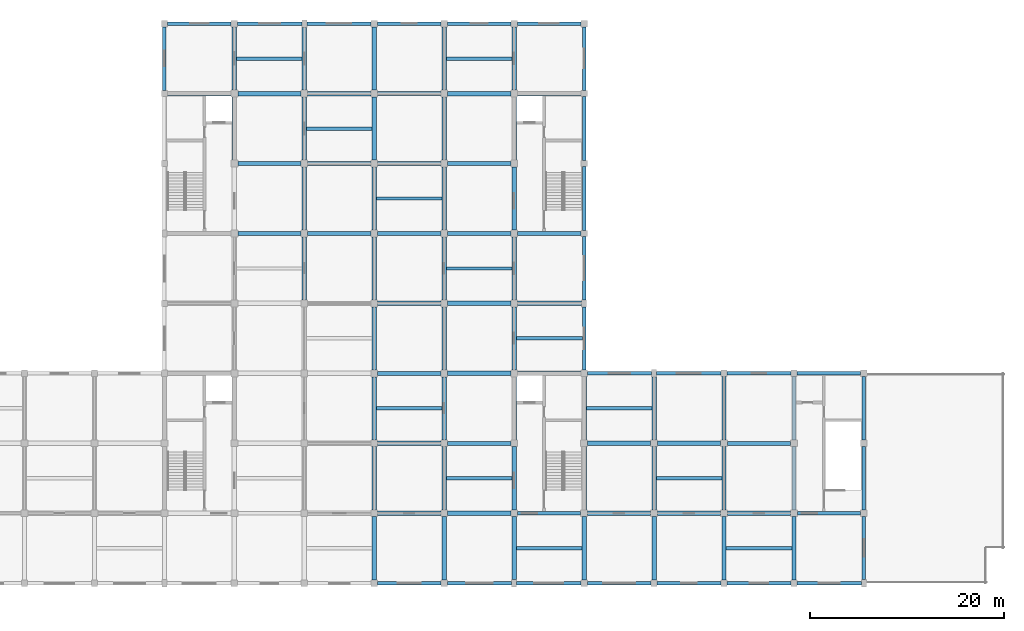
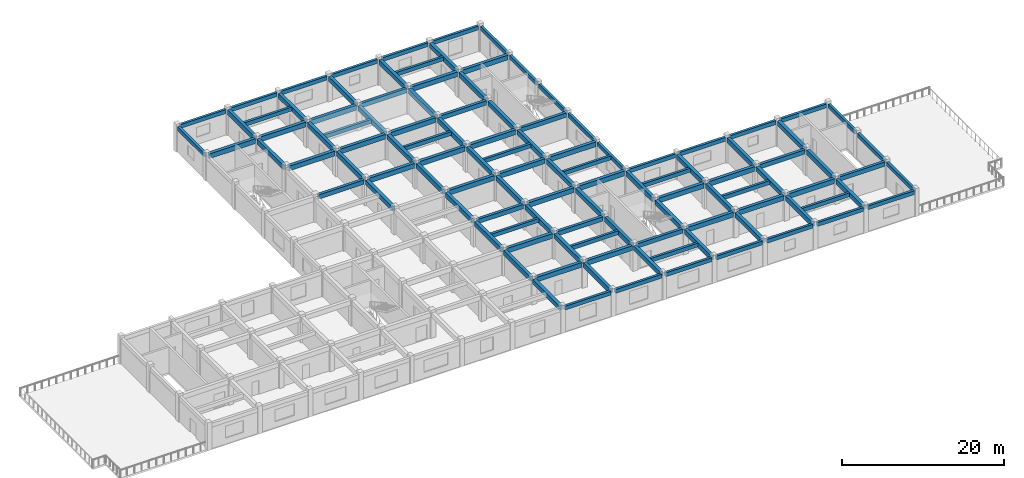
# One storey, part 2 of 10: 113 beams.
"""IFC4 building model written with IfcOpenShell, lengths in metres."""

from ifc_helpers import new_model, si_unit, direction, frame, origin, origin_2d, place, context, subcontext, project, spatial, rectangle, extrude, material, material_profile, profile_set, type_object, element, save


model = new_model("IFC4")

# Units and contexts
model_context = context("Model", 3, precision=1e-05, world=origin(), true_north=direction((0.0, 1.0)))
body_context = subcontext(model_context, "Body", "Model", "MODEL_VIEW")
ifc_project = project(units=[si_unit("LENGTHUNIT", "METRE"), si_unit("AREAUNIT", "SQUARE_METRE"), si_unit("VOLUMEUNIT", "CUBIC_METRE"), si_unit("PLANEANGLEUNIT", "RADIAN"), si_unit("MASSUNIT", "GRAM", prefix="KILO")], contexts=[model_context])

# Site, building, storey
site_placement = place(None, origin())
site = spatial("IfcSite", under=ifc_project, at=site_placement, CompositionType="ELEMENT")
building_placement = place(site_placement, origin())
building = spatial("IfcBuilding", under=site, at=building_placement, Name="Cendaluz Park School", CompositionType="ELEMENT")
storey_placement = place(building_placement, frame((0.0, 0.0, 30.60009765625)))
storey = spatial("IfcBuildingStorey", under=building, at=storey_placement, Name="L07", CompositionType="ELEMENT", Elevation=30.60009765625)

# Beams
ifc_material = material(Name="Concrete C40/50", Category="concrete")
ifc_material_profile_1 = material_profile(ifc_material, rectangle(XDim=0.449951171875, YDim=0.719970703125, at=origin_2d()), Name="RC 450x720", Category="concrete")
ifc_profile_set_1 = profile_set([ifc_material_profile_1], Name="Concrete C40/50")
beam_type_1 = type_object("IfcBeamType", Name="BM-RC02", PredefinedType="BEAM", material=ifc_profile_set_1)
beam_1_placement = place(storey_placement, frame((65.125, 57.60009765625, 3.469970703125), z_axis=(1.0, 0.0, 0.0), x_axis=(0.0, 1.0, 0.0)))
element("IfcBeam", 1, at=beam_1_placement, inside=storey, type_object=beam_type_1, Name="BM-L07-BMRC02-0021", PredefinedType="BEAM", context=body_context, shape_type="SweptSolid", body=[
    extrude(rectangle(XDim=0.449951171875, YDim=0.719970703125, at=origin_2d()), origin(), (0.0, 0.0, 1.0), 6.52490234375),
])
for number, where, z_axis, x_axis, name in (
    (2, (72.35009765625, 50.39990234375, 3.469970703125), (1.0, 0.0, 0.0), (0.0, 1.0, 0.0), "BM-L07-BMRC02-0029"),
    (3, (72.35009765625, 57.60009765625, 3.469970703125), (1.0, 0.0, 0.0), (0.0, 1.0, 0.0), "BM-L07-BMRC02-0030"),
    (4, (79.550048828125, 43.199951171875, 3.469970703125), (1.0, 0.0, 0.0), (0.0, 1.0, 0.0), "BM-L07-BMRC02-0037"),
    (5, (79.550048828125, 50.39990234375, 3.469970703125), (1.0, 0.0, 0.0), (0.0, 1.0, 0.0), "BM-L07-BMRC02-0038"),
    (6, (79.550048828125, 57.60009765625, 3.469970703125), (1.0, 0.0, 0.0), (0.0, 1.0, 0.0), "BM-L07-BMRC02-0039"),
    (7, (86.75, 14.39990234375, 3.469970703125), (1.0, 0.0, 0.0), (0.0, 1.0, 0.0), "BM-L07-BMRC02-0042"),
    (8, (86.75, 21.60009765625, 3.469970703125), (1.0, 0.0, 0.0), (0.0, 1.0, 0.0), "BM-L07-BMRC02-0043"),
    (9, (86.75, 36.0, 3.469970703125), (1.0, 0.0, 0.0), (0.0, 1.0, 0.0), "BM-L07-BMRC02-0045"),
    (10, (86.75, 43.199951171875, 3.469970703125), (1.0, 0.0, 0.0), (0.0, 1.0, 0.0), "BM-L07-BMRC02-0046"),
    (11, (86.75, 50.39990234375, 3.469970703125), (1.0, 0.0, 0.0), (0.0, 1.0, 0.0), "BM-L07-BMRC02-0047"),
    (12, (93.949951171875, 14.39990234375, 3.469970703125), (1.0, 0.0, 0.0), (0.0, 1.0, 0.0), "BM-L07-BMRC02-0051"),
    (13, (93.949951171875, 28.800048828125, 3.469970703125), (1.0, 0.0, 0.0), (0.0, 1.0, 0.0), "BM-L07-BMRC02-0053"),
    (14, (93.949951171875, 36.0, 3.469970703125), (1.0, 0.0, 0.0), (0.0, 1.0, 0.0), "BM-L07-BMRC02-0054"),
    (15, (93.949951171875, 43.199951171875, 3.469970703125), (1.0, 0.0, 0.0), (0.0, 1.0, 0.0), "BM-L07-BMRC02-0055"),
    (16, (93.949951171875, 57.60009765625, 3.469970703125), (1.0, 0.0, 0.0), (0.0, 1.0, 0.0), "BM-L07-BMRC02-0057"),
):
    element("IfcBeam", number, at=place(storey_placement, frame(where, z_axis=z_axis, x_axis=x_axis)), inside=storey, type_object=beam_type_1, Name=name, PredefinedType="BEAM", context=body_context, shape_type="SweptSolid", body=[
        extrude(rectangle(XDim=0.449951171875, YDim=0.719970703125, at=origin_2d()), origin(), (0.0, 0.0, 1.0), 6.5),
    ])
beam_2_placement = place(storey_placement, frame((101.14990234375, 28.800048828125, 3.469970703125), z_axis=(1.0, 0.0, 0.0), x_axis=(0.0, 1.0, 0.0)))
element("IfcBeam", 17, at=beam_2_placement, inside=storey, type_object=beam_type_1, Name="BM-L07-BMRC02-0061", PredefinedType="BEAM", context=body_context, shape_type="SweptSolid", body=[
    extrude(rectangle(XDim=0.449951171875, YDim=0.719970703125, at=origin_2d()), origin(), (0.0, 0.0, 1.0), 6.525146484375),
])
beam_3_placement = place(storey_placement, frame((101.14990234375, 36.0, 3.469970703125), z_axis=(1.0, 0.0, 0.0), x_axis=(0.0, 1.0, 0.0)))
element("IfcBeam", 18, at=beam_3_placement, inside=storey, type_object=beam_type_1, Name="BM-L07-BMRC02-0062", PredefinedType="BEAM", context=body_context, shape_type="SweptSolid", body=[
    extrude(rectangle(XDim=0.449951171875, YDim=0.719970703125, at=origin_2d()), origin(), (0.0, 0.0, 1.0), 6.60009765625),
])
beam_4_placement = place(storey_placement, frame((101.14990234375, 57.60009765625, 3.469970703125), z_axis=(1.0, 0.0, 0.0), x_axis=(0.0, 1.0, 0.0)))
element("IfcBeam", 19, at=beam_4_placement, inside=storey, type_object=beam_type_1, Name="BM-L07-BMRC02-0064", PredefinedType="BEAM", context=body_context, shape_type="SweptSolid", body=[
    extrude(rectangle(XDim=0.449951171875, YDim=0.719970703125, at=origin_2d()), origin(), (0.0, 0.0, 1.0), 6.525146484375),
])
for number, where, z_axis, x_axis, name in (
    (20, (108.35009765625, 14.39990234375, 3.469970703125), (1.0, 0.0, 0.0), (0.0, 1.0, 0.0), "BM-L07-BMRC02-0067"),
    (21, (108.35009765625, 21.60009765625, 3.469970703125), (1.0, 0.0, 0.0), (0.0, 1.0, 0.0), "BM-L07-BMRC02-0068"),
    (22, (115.550048828125, 14.39990234375, 3.469970703125), (1.0, 0.0, 0.0), (0.0, 1.0, 0.0), "BM-L07-BMRC02-0071"),
    (23, (115.550048828125, 21.60009765625, 3.469970703125), (1.0, 0.0, 0.0), (0.0, 1.0, 0.0), "BM-L07-BMRC02-0072"),
    (24, (122.75, 14.39990234375, 3.469970703125), (1.0, 0.0, 0.0), (0.0, 1.0, 0.0), "BM-L07-BMRC02-0075"),
    (25, (72.0, 50.75, 3.469970703125), (0.0, 1.0, 0.0), (-1.0, 0.0, 0.0), "BM-L07-BMRC02-0107"),
):
    element("IfcBeam", number, at=place(storey_placement, frame(where, z_axis=z_axis, x_axis=x_axis)), inside=storey, type_object=beam_type_1, Name=name, PredefinedType="BEAM", context=body_context, shape_type="SweptSolid", body=[
        extrude(rectangle(XDim=0.449951171875, YDim=0.719970703125, at=origin_2d()), origin(), (0.0, 0.0, 1.0), 6.5),
    ])
beam_5_placement = place(storey_placement, frame((72.0, 57.949951171875, 3.469970703125), z_axis=(0.0, 1.0, 0.0), x_axis=(-1.0, 0.0, 0.0)))
element("IfcBeam", 26, at=beam_5_placement, inside=storey, type_object=beam_type_1, Name="BM-L07-BMRC02-0108", PredefinedType="BEAM", context=body_context, shape_type="SweptSolid", body=[
    extrude(rectangle(XDim=0.449951171875, YDim=0.719970703125, at=origin_2d()), origin(), (0.0, 0.0, 1.0), 6.525146484375),
])
for number, where, z_axis, x_axis, name in (
    (27, (79.199951171875, 36.35009765625, 3.469970703125), (0.0, 1.0, 0.0), (-1.0, 0.0, 0.0), "BM-L07-BMRC02-0113"),
    (28, (79.199951171875, 43.550048828125, 3.469970703125), (0.0, 1.0, 0.0), (-1.0, 0.0, 0.0), "BM-L07-BMRC02-0114"),
    (29, (79.199951171875, 50.75, 3.469970703125), (0.0, 1.0, 0.0), (-1.0, 0.0, 0.0), "BM-L07-BMRC02-0115"),
):
    element("IfcBeam", number, at=place(storey_placement, frame(where, z_axis=z_axis, x_axis=x_axis)), inside=storey, type_object=beam_type_1, Name=name, PredefinedType="BEAM", context=body_context, shape_type="SweptSolid", body=[
        extrude(rectangle(XDim=0.449951171875, YDim=0.719970703125, at=origin_2d()), origin(), (0.0, 0.0, 1.0), 6.5),
    ])
beam_6_placement = place(storey_placement, frame((79.199951171875, 57.949951171875, 3.469970703125), z_axis=(0.0, 1.0, 0.0), x_axis=(-1.0, 0.0, 0.0)))
element("IfcBeam", 30, at=beam_6_placement, inside=storey, type_object=beam_type_1, Name="BM-L07-BMRC02-0116", PredefinedType="BEAM", context=body_context, shape_type="SweptSolid", body=[
    extrude(rectangle(XDim=0.449951171875, YDim=0.719970703125, at=origin_2d()), origin(), (0.0, 0.0, 1.0), 6.47509765625),
])
beam_7_placement = place(storey_placement, frame((86.39990234375, 7.52490234375, 3.469970703125), z_axis=(0.0, 1.0, 0.0), x_axis=(-1.0, 0.0, 0.0)))
element("IfcBeam", 31, at=beam_7_placement, inside=storey, type_object=beam_type_1, Name="BM-L07-BMRC02-0117", PredefinedType="BEAM", context=body_context, shape_type="SweptSolid", body=[
    extrude(rectangle(XDim=0.449951171875, YDim=0.719970703125, at=origin_2d()), origin(), (0.0, 0.0, 1.0), 6.525146484375),
])
for number, where, z_axis, x_axis, name in (
    (32, (86.39990234375, 14.75, 3.469970703125), (0.0, 1.0, 0.0), (-1.0, 0.0, 0.0), "BM-L07-BMRC02-0118"),
    (33, (86.39990234375, 21.949951171875, 3.469970703125), (0.0, 1.0, 0.0), (-1.0, 0.0, 0.0), "BM-L07-BMRC02-0119"),
    (34, (86.39990234375, 29.14990234375, 3.469970703125), (0.0, 1.0, 0.0), (-1.0, 0.0, 0.0), "BM-L07-BMRC02-0120"),
    (35, (86.39990234375, 36.35009765625, 3.469970703125), (0.0, 1.0, 0.0), (-1.0, 0.0, 0.0), "BM-L07-BMRC02-0121"),
    (36, (86.39990234375, 43.550048828125, 3.469970703125), (0.0, 1.0, 0.0), (-1.0, 0.0, 0.0), "BM-L07-BMRC02-0122"),
    (37, (86.39990234375, 50.75, 3.469970703125), (0.0, 1.0, 0.0), (-1.0, 0.0, 0.0), "BM-L07-BMRC02-0123"),
):
    element("IfcBeam", number, at=place(storey_placement, frame(where, z_axis=z_axis, x_axis=x_axis)), inside=storey, type_object=beam_type_1, Name=name, PredefinedType="BEAM", context=body_context, shape_type="SweptSolid", body=[
        extrude(rectangle(XDim=0.449951171875, YDim=0.719970703125, at=origin_2d()), origin(), (0.0, 0.0, 1.0), 6.5),
    ])
for number, where, z_axis, x_axis, name in (
    (38, (86.39990234375, 57.949951171875, 3.469970703125), (0.0, 1.0, 0.0), (-1.0, 0.0, 0.0), "BM-L07-BMRC02-0124"),
    (39, (93.60009765625, 7.52490234375, 3.469970703125), (0.0, 1.0, 0.0), (-1.0, 0.0, 0.0), "BM-L07-BMRC02-0125"),
):
    element("IfcBeam", number, at=place(storey_placement, frame(where, z_axis=z_axis, x_axis=x_axis)), inside=storey, type_object=beam_type_1, Name=name, PredefinedType="BEAM", context=body_context, shape_type="SweptSolid", body=[
        extrude(rectangle(XDim=0.449951171875, YDim=0.719970703125, at=origin_2d()), origin(), (0.0, 0.0, 1.0), 6.525146484375),
    ])
for number, where, z_axis, x_axis, name in (
    (40, (93.60009765625, 14.75, 3.469970703125), (0.0, 1.0, 0.0), (-1.0, 0.0, 0.0), "BM-L07-BMRC02-0126"),
    (41, (93.60009765625, 21.949951171875, 3.469970703125), (0.0, 1.0, 0.0), (-1.0, 0.0, 0.0), "BM-L07-BMRC02-0127"),
    (42, (93.60009765625, 29.14990234375, 3.469970703125), (0.0, 1.0, 0.0), (-1.0, 0.0, 0.0), "BM-L07-BMRC02-0128"),
    (43, (93.60009765625, 36.35009765625, 3.469970703125), (0.0, 1.0, 0.0), (-1.0, 0.0, 0.0), "BM-L07-BMRC02-0129"),
    (44, (93.60009765625, 43.550048828125, 3.469970703125), (0.0, 1.0, 0.0), (-1.0, 0.0, 0.0), "BM-L07-BMRC02-0130"),
    (45, (93.60009765625, 50.75, 3.469970703125), (0.0, 1.0, 0.0), (-1.0, 0.0, 0.0), "BM-L07-BMRC02-0131"),
):
    element("IfcBeam", number, at=place(storey_placement, frame(where, z_axis=z_axis, x_axis=x_axis)), inside=storey, type_object=beam_type_1, Name=name, PredefinedType="BEAM", context=body_context, shape_type="SweptSolid", body=[
        extrude(rectangle(XDim=0.449951171875, YDim=0.719970703125, at=origin_2d()), origin(), (0.0, 0.0, 1.0), 6.5),
    ])
beam_8_placement = place(storey_placement, frame((93.60009765625, 57.949951171875, 3.469970703125), z_axis=(0.0, 1.0, 0.0), x_axis=(-1.0, 0.0, 0.0)))
element("IfcBeam", 46, at=beam_8_placement, inside=storey, type_object=beam_type_1, Name="BM-L07-BMRC02-0132", PredefinedType="BEAM", context=body_context, shape_type="SweptSolid", body=[
    extrude(rectangle(XDim=0.449951171875, YDim=0.719970703125, at=origin_2d()), origin(), (0.0, 0.0, 1.0), 6.525146484375),
])
beam_9_placement = place(storey_placement, frame((100.800048828125, 7.574951171875, 3.469970703125), z_axis=(0.0, 1.0, 0.0), x_axis=(-1.0, 0.0, 0.0)))
element("IfcBeam", 47, at=beam_9_placement, inside=storey, type_object=beam_type_1, Name="BM-L07-BMRC02-0133", PredefinedType="BEAM", context=body_context, shape_type="SweptSolid", body=[
    extrude(rectangle(XDim=0.449951171875, YDim=0.719970703125, at=origin_2d()), origin(), (0.0, 0.0, 1.0), 6.47509765625),
])
for number, where, z_axis, x_axis, name in (
    (48, (100.800048828125, 14.75, 3.469970703125), (0.0, 1.0, 0.0), (-1.0, 0.0, 0.0), "BM-L07-BMRC02-0134"),
    (49, (100.800048828125, 21.949951171875, 3.469970703125), (0.0, 1.0, 0.0), (-1.0, 0.0, 0.0), "BM-L07-BMRC02-0135"),
    (50, (100.800048828125, 29.14990234375, 3.469970703125), (0.0, 1.0, 0.0), (-1.0, 0.0, 0.0), "BM-L07-BMRC02-0136"),
    (51, (100.800048828125, 36.35009765625, 3.469970703125), (0.0, 1.0, 0.0), (-1.0, 0.0, 0.0), "BM-L07-BMRC02-0137"),
    (52, (100.800048828125, 43.550048828125, 3.469970703125), (0.0, 1.0, 0.0), (-1.0, 0.0, 0.0), "BM-L07-BMRC02-0138"),
    (53, (100.800048828125, 50.75, 3.469970703125), (0.0, 1.0, 0.0), (-1.0, 0.0, 0.0), "BM-L07-BMRC02-0139"),
):
    element("IfcBeam", number, at=place(storey_placement, frame(where, z_axis=z_axis, x_axis=x_axis)), inside=storey, type_object=beam_type_1, Name=name, PredefinedType="BEAM", context=body_context, shape_type="SweptSolid", body=[
        extrude(rectangle(XDim=0.449951171875, YDim=0.719970703125, at=origin_2d()), origin(), (0.0, 0.0, 1.0), 6.5),
    ])
for number, where, z_axis, x_axis, name in (
    (54, (100.800048828125, 57.949951171875, 3.469970703125), (0.0, 1.0, 0.0), (-1.0, 0.0, 0.0), "BM-L07-BMRC02-0140"),
    (55, (108.0, 7.52490234375, 3.469970703125), (0.0, 1.0, 0.0), (-1.0, 0.0, 0.0), "BM-L07-BMRC02-0141"),
):
    element("IfcBeam", number, at=place(storey_placement, frame(where, z_axis=z_axis, x_axis=x_axis)), inside=storey, type_object=beam_type_1, Name=name, PredefinedType="BEAM", context=body_context, shape_type="SweptSolid", body=[
        extrude(rectangle(XDim=0.449951171875, YDim=0.719970703125, at=origin_2d()), origin(), (0.0, 0.0, 1.0), 6.525146484375),
    ])
beam_10_placement = place(storey_placement, frame((108.0, 14.75, 3.469970703125), z_axis=(0.0, 1.0, 0.0), x_axis=(-1.0, 0.0, 0.0)))
element("IfcBeam", 56, at=beam_10_placement, inside=storey, type_object=beam_type_1, Name="BM-L07-BMRC02-0142", PredefinedType="BEAM", context=body_context, shape_type="SweptSolid", body=[
    extrude(rectangle(XDim=0.449951171875, YDim=0.719970703125, at=origin_2d()), origin(), (0.0, 0.0, 1.0), 6.5),
])
for number, where, z_axis, x_axis, name in (
    (57, (108.0, 21.949951171875, 3.469970703125), (0.0, 1.0, 0.0), (-1.0, 0.0, 0.0), "BM-L07-BMRC02-0143"),
    (58, (115.199951171875, 7.52490234375, 3.469970703125), (0.0, 1.0, 0.0), (-1.0, 0.0, 0.0), "BM-L07-BMRC02-0149"),
):
    element("IfcBeam", number, at=place(storey_placement, frame(where, z_axis=z_axis, x_axis=x_axis)), inside=storey, type_object=beam_type_1, Name=name, PredefinedType="BEAM", context=body_context, shape_type="SweptSolid", body=[
        extrude(rectangle(XDim=0.449951171875, YDim=0.719970703125, at=origin_2d()), origin(), (0.0, 0.0, 1.0), 6.525146484375),
    ])
beam_11_placement = place(storey_placement, frame((115.199951171875, 14.75, 3.469970703125), z_axis=(0.0, 1.0, 0.0), x_axis=(-1.0, 0.0, 0.0)))
element("IfcBeam", 59, at=beam_11_placement, inside=storey, type_object=beam_type_1, Name="BM-L07-BMRC02-0150", PredefinedType="BEAM", context=body_context, shape_type="SweptSolid", body=[
    extrude(rectangle(XDim=0.449951171875, YDim=0.719970703125, at=origin_2d()), origin(), (0.0, 0.0, 1.0), 6.5),
])
beam_12_placement = place(storey_placement, frame((115.199951171875, 21.949951171875, 3.469970703125), z_axis=(0.0, 1.0, 0.0), x_axis=(-1.0, 0.0, 0.0)))
element("IfcBeam", 60, at=beam_12_placement, inside=storey, type_object=beam_type_1, Name="BM-L07-BMRC02-0151", PredefinedType="BEAM", context=body_context, shape_type="SweptSolid", body=[
    extrude(rectangle(XDim=0.449951171875, YDim=0.719970703125, at=origin_2d()), origin(), (0.0, 0.0, 1.0), 6.47509765625),
])
beam_13_placement = place(storey_placement, frame((122.39990234375, 7.52490234375, 3.469970703125), z_axis=(0.0, 1.0, 0.0), x_axis=(-1.0, 0.0, 0.0)))
element("IfcBeam", 61, at=beam_13_placement, inside=storey, type_object=beam_type_1, Name="BM-L07-BMRC02-0152", PredefinedType="BEAM", context=body_context, shape_type="SweptSolid", body=[
    extrude(rectangle(XDim=0.449951171875, YDim=0.719970703125, at=origin_2d()), origin(), (0.0, 0.0, 1.0), 6.525146484375),
])
beam_14_placement = place(storey_placement, frame((122.39990234375, 14.75, 3.469970703125), z_axis=(0.0, 1.0, 0.0), x_axis=(-1.0, 0.0, 0.0)))
element("IfcBeam", 62, at=beam_14_placement, inside=storey, type_object=beam_type_1, Name="BM-L07-BMRC02-0153", PredefinedType="BEAM", context=body_context, shape_type="SweptSolid", body=[
    extrude(rectangle(XDim=0.449951171875, YDim=0.719970703125, at=origin_2d()), origin(), (0.0, 0.0, 1.0), 6.5),
])
for number, where, z_axis, x_axis, name in (
    (63, (122.39990234375, 21.949951171875, 3.469970703125), (0.0, 1.0, 0.0), (-1.0, 0.0, 0.0), "BM-L07-BMRC02-0154"),
    (64, (129.60009765625, 7.52490234375, 3.469970703125), (0.0, 1.0, 0.0), (-1.0, 0.0, 0.0), "BM-L07-BMRC02-0155"),
):
    element("IfcBeam", number, at=place(storey_placement, frame(where, z_axis=z_axis, x_axis=x_axis)), inside=storey, type_object=beam_type_1, Name=name, PredefinedType="BEAM", context=body_context, shape_type="SweptSolid", body=[
        extrude(rectangle(XDim=0.449951171875, YDim=0.719970703125, at=origin_2d()), origin(), (0.0, 0.0, 1.0), 6.525146484375),
    ])
beam_15_placement = place(storey_placement, frame((129.60009765625, 14.75, 3.469970703125), z_axis=(0.0, 1.0, 0.0), x_axis=(-1.0, 0.0, 0.0)))
element("IfcBeam", 65, at=beam_15_placement, inside=storey, type_object=beam_type_1, Name="BM-L07-BMRC02-0156", PredefinedType="BEAM", context=body_context, shape_type="SweptSolid", body=[
    extrude(rectangle(XDim=0.449951171875, YDim=0.719970703125, at=origin_2d()), origin(), (0.0, 0.0, 1.0), 6.5),
])
beam_16_placement = place(storey_placement, frame((129.60009765625, 21.949951171875, 3.469970703125), z_axis=(0.0, 1.0, 0.0), x_axis=(-1.0, 0.0, 0.0)))
element("IfcBeam", 66, at=beam_16_placement, inside=storey, type_object=beam_type_1, Name="BM-L07-BMRC02-0157", PredefinedType="BEAM", context=body_context, shape_type="SweptSolid", body=[
    extrude(rectangle(XDim=0.449951171875, YDim=0.719970703125, at=origin_2d()), origin(), (0.0, 0.0, 1.0), 6.525146484375),
])
ifc_material_profile_2 = material_profile(ifc_material, rectangle(XDim=0.39990234375, YDim=0.64990234375, at=origin_2d()), Name="RC 400x650", Category="concrete")
ifc_profile_set_2 = profile_set([ifc_material_profile_2], Name="Concrete C40/50")
beam_type_2 = type_object("IfcBeamType", Name="BM-RC03", PredefinedType="T_BEAM", material=ifc_profile_set_2)
for number, where, z_axis, x_axis, name in (
    (67, (72.35009765625, 43.199951171875, 3.5048828125), (1.0, 0.0, 0.0), (0.0, 1.0, 0.0), "BM-L07-BMRC03-0028"),
    (68, (86.75, 28.800048828125, 3.5048828125), (1.0, 0.0, 0.0), (0.0, 1.0, 0.0), "BM-L07-BMRC03-0044"),
    (69, (86.75, 57.60009765625, 3.5048828125), (1.0, 0.0, 0.0), (0.0, 1.0, 0.0), "BM-L07-BMRC03-0048"),
    (70, (93.949951171875, 21.60009765625, 3.5048828125), (1.0, 0.0, 0.0), (0.0, 1.0, 0.0), "BM-L07-BMRC03-0052"),
    (71, (93.949951171875, 50.39990234375, 3.5048828125), (1.0, 0.0, 0.0), (0.0, 1.0, 0.0), "BM-L07-BMRC03-0056"),
    (72, (101.14990234375, 14.39990234375, 3.5048828125), (1.0, 0.0, 0.0), (0.0, 1.0, 0.0), "BM-L07-BMRC03-0060"),
):
    element("IfcBeam", number, at=place(storey_placement, frame(where, z_axis=z_axis, x_axis=x_axis)), inside=storey, type_object=beam_type_2, Name=name, PredefinedType="T_BEAM", context=body_context, shape_type="SweptSolid", body=[
        extrude(rectangle(XDim=0.39990234375, YDim=0.64990234375, at=origin_2d()), origin(), (0.0, 0.0, 1.0), 6.5),
    ])
beam_17_placement = place(storey_placement, frame((101.14990234375, 43.199951171875, 3.5048828125), z_axis=(1.0, 0.0, 0.0), x_axis=(0.0, 1.0, 0.0)))
element("IfcBeam", 73, at=beam_17_placement, inside=storey, type_object=beam_type_2, Name="BM-L07-BMRC03-0063", PredefinedType="T_BEAM", context=body_context, shape_type="SweptSolid", body=[
    extrude(rectangle(XDim=0.39990234375, YDim=0.64990234375, at=origin_2d()), origin(), (0.0, 0.0, 1.0), 6.525146484375),
])
beam_18_placement = place(storey_placement, frame((122.75, 21.60009765625, 3.5048828125), z_axis=(1.0, 0.0, 0.0), x_axis=(0.0, 1.0, 0.0)))
element("IfcBeam", 74, at=beam_18_placement, inside=storey, type_object=beam_type_2, Name="BM-L07-BMRC03-0076", PredefinedType="T_BEAM", context=body_context, shape_type="SweptSolid", body=[
    extrude(rectangle(XDim=0.39990234375, YDim=0.64990234375, at=origin_2d()), origin(), (0.0, 0.0, 1.0), 6.5),
])
beam_19_placement = place(storey_placement, frame((129.949951171875, 14.39990234375, 3.5048828125), z_axis=(1.0, 0.0, 0.0), x_axis=(0.0, 1.0, 0.0)))
element("IfcBeam", 75, at=beam_19_placement, inside=storey, type_object=beam_type_2, Name="BM-L07-BMRC03-0079", PredefinedType="T_BEAM", context=body_context, shape_type="SweptSolid", body=[
    extrude(rectangle(XDim=0.39990234375, YDim=0.64990234375, at=origin_2d()), origin(), (0.0, 0.0, 1.0), 6.525146484375),
])
ifc_material_profile_3 = material_profile(ifc_material, rectangle(XDim=0.35009765625, YDim=0.580078125, at=origin_2d()), Name="RC 350x580", Category="concrete")
ifc_profile_set_3 = profile_set([ifc_material_profile_3], Name="Concrete C40/50")
beam_type_3 = type_object("IfcBeamType", Name="BM-RC04", PredefinedType="LINTEL", material=ifc_profile_set_3)
beam_20_placement = place(storey_placement, frame((65.125, 64.800048828125, 3.539794921875), z_axis=(1.0, 0.0, 0.0), x_axis=(0.0, 1.0, 0.0)))
element("IfcBeam", 76, at=beam_20_placement, inside=storey, type_object=beam_type_3, Name="BM-L07-BMRC04-0022", PredefinedType="LINTEL", context=body_context, shape_type="SweptSolid", body=[
    extrude(rectangle(XDim=0.35009765625, YDim=0.580078125, at=origin_2d()), origin(), (0.0, 0.0, 1.0), 6.550048828125),
])
for number, where, z_axis, x_axis, name in (
    (77, (72.324951171875, 64.800048828125, 3.539794921875), (1.0, 0.0, 0.0), (0.0, 1.0, 0.0), "BM-L07-BMRC04-0031"),
    (78, (79.449951171875, 64.800048828125, 3.539794921875), (1.0, 0.0, 0.0), (0.0, 1.0, 0.0), "BM-L07-BMRC04-0040"),
):
    element("IfcBeam", number, at=place(storey_placement, frame(where, z_axis=z_axis, x_axis=x_axis)), inside=storey, type_object=beam_type_3, Name=name, PredefinedType="LINTEL", context=body_context, shape_type="SweptSolid", body=[
        extrude(rectangle(XDim=0.35009765625, YDim=0.580078125, at=origin_2d()), origin(), (0.0, 0.0, 1.0), 6.625),
    ])
for number, where, z_axis, x_axis, name in (
    (79, (86.72509765625, 7.199951171875, 3.539794921875), (1.0, 0.0, 0.0), (0.0, 1.0, 0.0), "BM-L07-BMRC04-0041"),
    (80, (86.72509765625, 64.800048828125, 3.539794921875), (1.0, 0.0, 0.0), (0.0, 1.0, 0.0), "BM-L07-BMRC04-0049"),
):
    element("IfcBeam", number, at=place(storey_placement, frame(where, z_axis=z_axis, x_axis=x_axis)), inside=storey, type_object=beam_type_3, Name=name, PredefinedType="LINTEL", context=body_context, shape_type="SweptSolid", body=[
        extrude(rectangle(XDim=0.35009765625, YDim=0.580078125, at=origin_2d()), origin(), (0.0, 0.0, 1.0), 6.5498046875),
    ])
beam_21_placement = place(storey_placement, frame((93.925048828125, 7.199951171875, 3.539794921875), z_axis=(1.0, 0.0, 0.0), x_axis=(0.0, 1.0, 0.0)))
element("IfcBeam", 81, at=beam_21_placement, inside=storey, type_object=beam_type_3, Name="BM-L07-BMRC04-0050", PredefinedType="LINTEL", context=body_context, shape_type="SweptSolid", body=[
    extrude(rectangle(XDim=0.35009765625, YDim=0.580078125, at=origin_2d()), origin(), (0.0, 0.0, 1.0), 6.625),
])
beam_22_placement = place(storey_placement, frame((93.925048828125, 64.800048828125, 3.539794921875), z_axis=(1.0, 0.0, 0.0), x_axis=(0.0, 1.0, 0.0)))
element("IfcBeam", 82, at=beam_22_placement, inside=storey, type_object=beam_type_3, Name="BM-L07-BMRC04-0058", PredefinedType="LINTEL", context=body_context, shape_type="SweptSolid", body=[
    extrude(rectangle(XDim=0.35009765625, YDim=0.580078125, at=origin_2d()), origin(), (0.0, 0.0, 1.0), 6.550048828125),
])
beam_23_placement = place(storey_placement, frame((101.050048828125, 7.199951171875, 3.539794921875), z_axis=(1.0, 0.0, 0.0), x_axis=(0.0, 1.0, 0.0)))
element("IfcBeam", 83, at=beam_23_placement, inside=storey, type_object=beam_type_3, Name="BM-L07-BMRC04-0059", PredefinedType="LINTEL", context=body_context, shape_type="SweptSolid", body=[
    extrude(rectangle(XDim=0.35009765625, YDim=0.580078125, at=origin_2d()), origin(), (0.0, 0.0, 1.0), 6.625),
])
for number, where, z_axis, x_axis, name in (
    (84, (101.125, 64.800048828125, 3.539794921875), (1.0, 0.0, 0.0), (0.0, 1.0, 0.0), "BM-L07-BMRC04-0065"),
    (85, (108.324951171875, 7.199951171875, 3.539794921875), (1.0, 0.0, 0.0), (0.0, 1.0, 0.0), "BM-L07-BMRC04-0066"),
):
    element("IfcBeam", number, at=place(storey_placement, frame(where, z_axis=z_axis, x_axis=x_axis)), inside=storey, type_object=beam_type_3, Name=name, PredefinedType="LINTEL", context=body_context, shape_type="SweptSolid", body=[
        extrude(rectangle(XDim=0.35009765625, YDim=0.580078125, at=origin_2d()), origin(), (0.0, 0.0, 1.0), 6.550048828125),
    ])
beam_24_placement = place(storey_placement, frame((108.324951171875, 28.800048828125, 3.539794921875), z_axis=(1.0, 0.0, 0.0), x_axis=(0.0, 1.0, 0.0)))
element("IfcBeam", 86, at=beam_24_placement, inside=storey, type_object=beam_type_3, Name="BM-L07-BMRC04-0069", PredefinedType="LINTEL", context=body_context, shape_type="SweptSolid", body=[
    extrude(rectangle(XDim=0.35009765625, YDim=0.580078125, at=origin_2d()), origin(), (0.0, 0.0, 1.0), 6.625),
])
beam_25_placement = place(storey_placement, frame((115.52490234375, 7.199951171875, 3.539794921875), z_axis=(1.0, 0.0, 0.0), x_axis=(0.0, 1.0, 0.0)))
element("IfcBeam", 87, at=beam_25_placement, inside=storey, type_object=beam_type_3, Name="BM-L07-BMRC04-0070", PredefinedType="LINTEL", context=body_context, shape_type="SweptSolid", body=[
    extrude(rectangle(XDim=0.35009765625, YDim=0.580078125, at=origin_2d()), origin(), (0.0, 0.0, 1.0), 6.550048828125),
])
beam_26_placement = place(storey_placement, frame((115.449951171875, 28.800048828125, 3.539794921875), z_axis=(1.0, 0.0, 0.0), x_axis=(0.0, 1.0, 0.0)))
element("IfcBeam", 88, at=beam_26_placement, inside=storey, type_object=beam_type_3, Name="BM-L07-BMRC04-0073", PredefinedType="LINTEL", context=body_context, shape_type="SweptSolid", body=[
    extrude(rectangle(XDim=0.35009765625, YDim=0.580078125, at=origin_2d()), origin(), (0.0, 0.0, 1.0), 6.625),
])
for number, where, z_axis, x_axis, name in (
    (89, (122.72509765625, 7.199951171875, 3.539794921875), (1.0, 0.0, 0.0), (0.0, 1.0, 0.0), "BM-L07-BMRC04-0074"),
    (90, (122.72509765625, 28.800048828125, 3.539794921875), (1.0, 0.0, 0.0), (0.0, 1.0, 0.0), "BM-L07-BMRC04-0077"),
):
    element("IfcBeam", number, at=place(storey_placement, frame(where, z_axis=z_axis, x_axis=x_axis)), inside=storey, type_object=beam_type_3, Name=name, PredefinedType="LINTEL", context=body_context, shape_type="SweptSolid", body=[
        extrude(rectangle(XDim=0.35009765625, YDim=0.580078125, at=origin_2d()), origin(), (0.0, 0.0, 1.0), 6.5498046875),
    ])
beam_27_placement = place(storey_placement, frame((129.925048828125, 7.199951171875, 3.539794921875), z_axis=(1.0, 0.0, 0.0), x_axis=(0.0, 1.0, 0.0)))
element("IfcBeam", 91, at=beam_27_placement, inside=storey, type_object=beam_type_3, Name="BM-L07-BMRC04-0078", PredefinedType="LINTEL", context=body_context, shape_type="SweptSolid", body=[
    extrude(rectangle(XDim=0.35009765625, YDim=0.580078125, at=origin_2d()), origin(), (0.0, 0.0, 1.0), 6.625),
])
for number, where, z_axis, x_axis, name in (
    (92, (129.925048828125, 28.800048828125, 3.539794921875), (1.0, 0.0, 0.0), (0.0, 1.0, 0.0), "BM-L07-BMRC04-0080"),
    (93, (64.800048828125, 57.925048828125, 3.539794921875), (0.0, 1.0, 0.0), (-1.0, 0.0, 0.0), "BM-L07-BMRC04-0100"),
):
    element("IfcBeam", number, at=place(storey_placement, frame(where, z_axis=z_axis, x_axis=x_axis)), inside=storey, type_object=beam_type_3, Name=name, PredefinedType="LINTEL", context=body_context, shape_type="SweptSolid", body=[
        extrude(rectangle(XDim=0.35009765625, YDim=0.580078125, at=origin_2d()), origin(), (0.0, 0.0, 1.0), 6.550048828125),
    ])
for number, where, z_axis, x_axis, name in (
    (94, (108.0, 29.125, 3.539794921875), (0.0, 1.0, 0.0), (-1.0, 0.0, 0.0), "BM-L07-BMRC04-0144"),
    (95, (108.0, 36.375, 3.539794921875), (0.0, 1.0, 0.0), (-1.0, 0.0, 0.0), "BM-L07-BMRC04-0145"),
):
    element("IfcBeam", number, at=place(storey_placement, frame(where, z_axis=z_axis, x_axis=x_axis)), inside=storey, type_object=beam_type_3, Name=name, PredefinedType="LINTEL", context=body_context, shape_type="SweptSolid", body=[
        extrude(rectangle(XDim=0.35009765625, YDim=0.580078125, at=origin_2d()), origin(), (0.0, 0.0, 1.0), 6.5),
    ])
beam_28_placement = place(storey_placement, frame((108.0, 43.52490234375, 3.539794921875), z_axis=(0.0, 1.0, 0.0), x_axis=(-1.0, 0.0, 0.0)))
element("IfcBeam", 96, at=beam_28_placement, inside=storey, type_object=beam_type_3, Name="BM-L07-BMRC04-0146", PredefinedType="LINTEL", context=body_context, shape_type="SweptSolid", body=[
    extrude(rectangle(XDim=0.35009765625, YDim=0.580078125, at=origin_2d()), origin(), (0.0, 0.0, 1.0), 6.550048828125),
])
beam_29_placement = place(storey_placement, frame((108.0, 50.72509765625, 3.539794921875), z_axis=(0.0, 1.0, 0.0), x_axis=(-1.0, 0.0, 0.0)))
element("IfcBeam", 97, at=beam_29_placement, inside=storey, type_object=beam_type_3, Name="BM-L07-BMRC04-0147", PredefinedType="LINTEL", context=body_context, shape_type="SweptSolid", body=[
    extrude(rectangle(XDim=0.35009765625, YDim=0.580078125, at=origin_2d()), origin(), (0.0, 0.0, 1.0), 6.5498046875),
])
beam_30_placement = place(storey_placement, frame((108.0, 57.925048828125, 3.539794921875), z_axis=(0.0, 1.0, 0.0), x_axis=(-1.0, 0.0, 0.0)))
element("IfcBeam", 98, at=beam_30_placement, inside=storey, type_object=beam_type_3, Name="BM-L07-BMRC04-0148", PredefinedType="LINTEL", context=body_context, shape_type="SweptSolid", body=[
    extrude(rectangle(XDim=0.35009765625, YDim=0.580078125, at=origin_2d()), origin(), (0.0, 0.0, 1.0), 6.550048828125),
])
beam_31_placement = place(storey_placement, frame((136.800048828125, 7.574951171875, 3.539794921875), z_axis=(0.0, 1.0, 0.0), x_axis=(-1.0, 0.0, 0.0)))
element("IfcBeam", 99, at=beam_31_placement, inside=storey, type_object=beam_type_3, Name="BM-L07-BMRC04-0158", PredefinedType="LINTEL", context=body_context, shape_type="SweptSolid", body=[
    extrude(rectangle(XDim=0.35009765625, YDim=0.580078125, at=origin_2d()), origin(), (0.0, 0.0, 1.0), 6.5),
])
beam_32_placement = place(storey_placement, frame((136.800048828125, 14.72509765625, 3.539794921875), z_axis=(0.0, 1.0, 0.0), x_axis=(-1.0, 0.0, 0.0)))
element("IfcBeam", 100, at=beam_32_placement, inside=storey, type_object=beam_type_3, Name="BM-L07-BMRC04-0159", PredefinedType="LINTEL", context=body_context, shape_type="SweptSolid", body=[
    extrude(rectangle(XDim=0.35009765625, YDim=0.580078125, at=origin_2d()), origin(), (0.0, 0.0, 1.0), 6.5498046875),
])
beam_33_placement = place(storey_placement, frame((136.800048828125, 21.925048828125, 3.539794921875), z_axis=(0.0, 1.0, 0.0), x_axis=(-1.0, 0.0, 0.0)))
element("IfcBeam", 101, at=beam_33_placement, inside=storey, type_object=beam_type_3, Name="BM-L07-BMRC04-0160", PredefinedType="LINTEL", context=body_context, shape_type="SweptSolid", body=[
    extrude(rectangle(XDim=0.35009765625, YDim=0.580078125, at=origin_2d()), origin(), (0.0, 0.0, 1.0), 6.550048828125),
])
ifc_material_profile_4 = material_profile(ifc_material, rectangle(XDim=0.35009765625, YDim=0.580078125, at=origin_2d()), Name="RC 350x580", Category="concrete")
ifc_profile_set_4 = profile_set([ifc_material_profile_4], Name="Concrete C40/50")
beam_type_4 = type_object("IfcBeamType", Name="JT-RC01", PredefinedType="JOIST", material=ifc_profile_set_4)
for number, where, z_axis, x_axis, name in (
    (102, (72.22509765625, 61.199951171875, 3.539794921875), (1.0, 0.0, 0.0), (0.0, 1.0, 0.0), "BM-L07-JTRC01-0167"),
    (103, (79.425048828125, 54.0, 3.539794921875), (1.0, 0.0, 0.0), (0.0, 1.0, 0.0), "BM-L07-JTRC01-0170"),
    (104, (86.625, 25.199951171875, 3.539794921875), (1.0, 0.0, 0.0), (0.0, 1.0, 0.0), "BM-L07-JTRC01-0171"),
    (105, (86.625, 46.800048828125, 3.539794921875), (1.0, 0.0, 0.0), (0.0, 1.0, 0.0), "BM-L07-JTRC01-0172"),
    (106, (93.824951171875, 18.0, 3.539794921875), (1.0, 0.0, 0.0), (0.0, 1.0, 0.0), "BM-L07-JTRC01-0173"),
    (107, (93.824951171875, 39.60009765625, 3.539794921875), (1.0, 0.0, 0.0), (0.0, 1.0, 0.0), "BM-L07-JTRC01-0174"),
    (108, (93.824951171875, 61.199951171875, 3.539794921875), (1.0, 0.0, 0.0), (0.0, 1.0, 0.0), "BM-L07-JTRC01-0175"),
    (109, (101.02490234375, 10.800048828125, 3.539794921875), (1.0, 0.0, 0.0), (0.0, 1.0, 0.0), "BM-L07-JTRC01-0176"),
):
    element("IfcBeam", number, at=place(storey_placement, frame(where, z_axis=z_axis, x_axis=x_axis)), inside=storey, type_object=beam_type_4, Name=name, PredefinedType="JOIST", context=body_context, shape_type="SweptSolid", body=[
        extrude(rectangle(XDim=0.35009765625, YDim=0.580078125, at=origin_2d()), origin(), (0.0, 0.0, 1.0), 6.75),
    ])
beam_34_placement = place(storey_placement, frame((101.02490234375, 32.39990234375, 3.539794921875), z_axis=(1.0, 0.0, 0.0), x_axis=(0.0, 1.0, 0.0)))
element("IfcBeam", 110, at=beam_34_placement, inside=storey, type_object=beam_type_4, Name="BM-L07-JTRC01-0177", PredefinedType="JOIST", context=body_context, shape_type="SweptSolid", body=[
    extrude(rectangle(XDim=0.35009765625, YDim=0.580078125, at=origin_2d()), origin(), (0.0, 0.0, 1.0), 6.800048828125),
])
for number, where, z_axis, x_axis, name in (
    (111, (108.22509765625, 25.199951171875, 3.539794921875), (1.0, 0.0, 0.0), (0.0, 1.0, 0.0), "BM-L07-JTRC01-0178"),
    (112, (115.425048828125, 18.0, 3.539794921875), (1.0, 0.0, 0.0), (0.0, 1.0, 0.0), "BM-L07-JTRC01-0179"),
    (113, (122.625, 10.800048828125, 3.539794921875), (1.0, 0.0, 0.0), (0.0, 1.0, 0.0), "BM-L07-JTRC01-0180"),
):
    element("IfcBeam", number, at=place(storey_placement, frame(where, z_axis=z_axis, x_axis=x_axis)), inside=storey, type_object=beam_type_4, Name=name, PredefinedType="JOIST", context=body_context, shape_type="SweptSolid", body=[
        extrude(rectangle(XDim=0.35009765625, YDim=0.580078125, at=origin_2d()), origin(), (0.0, 0.0, 1.0), 6.75),
    ])

save(model, "model.ifc")
